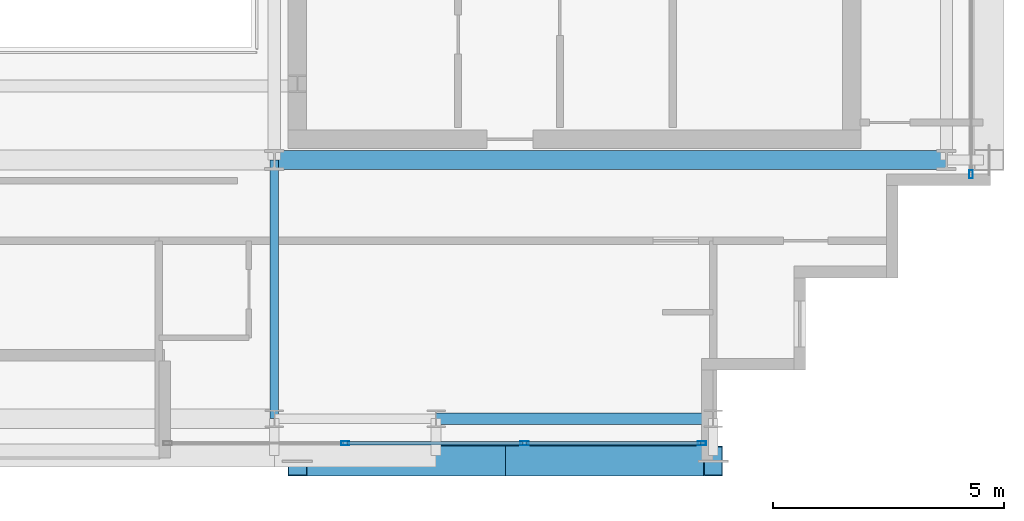
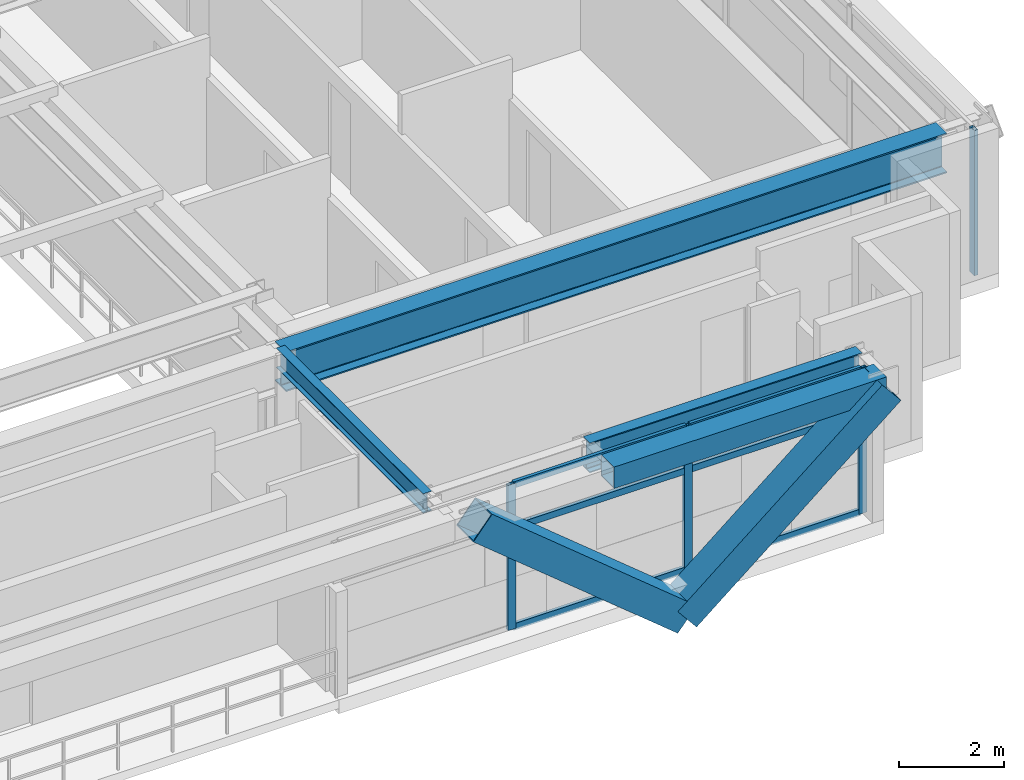
# One storey, part 10 of 29: 12 members, 4 beams, 2 elements without a shape of their own.
"""IFC4 building model written with IfcOpenShell, lengths in metres."""

from ifc_helpers import new_model, si_unit, direction, frame, origin, origin_2d, place, context, subcontext, project, spatial, hollow_rectangle, i_section, extrude, source, transform, mapped, material, layer, layer_set, material_profile, profile_set, type_object, element, aggregate, save


model = new_model("IFC4")

# Units and contexts
model_context = context("Model", 3, precision=1e-05, world=origin(), true_north=direction((0.0, 1.0)))
body_context = subcontext(model_context, "Body", "Model", "MODEL_VIEW")
ifc_project = project(units=[si_unit("LENGTHUNIT", "METRE"), si_unit("AREAUNIT", "SQUARE_METRE"), si_unit("VOLUMEUNIT", "CUBIC_METRE"), si_unit("PLANEANGLEUNIT", "RADIAN"), si_unit("MASSUNIT", "GRAM", prefix="KILO")], contexts=[model_context])

# Site, building, storey
site_placement = place(None, origin())
site = spatial("IfcSite", under=ifc_project, at=site_placement, CompositionType="ELEMENT")
building_placement = place(site_placement, origin())
building = spatial("IfcBuilding", under=site, at=building_placement, Name="Ocotamira Hotel", CompositionType="ELEMENT")
storey_placement = place(building_placement, frame((0.0, 0.0, 247.199951171875)))
storey = spatial("IfcBuildingStorey", under=building, at=storey_placement, Name="L62", CompositionType="ELEMENT", Elevation=247.199951171875)

# Beams
ifc_material_1 = material(Name="Steel ASTM A992 Grade 50", Category="steel")
ifc_material_profile_1 = material_profile(ifc_material_1, i_section(OverallWidth=0.41796875, OverallDepth=0.927001953125, WebThickness=0.019287109375, FlangeThickness=0.031982421875, FilletRadius=0.02392578125, at=origin_2d()), Name="W36X231")
ifc_profile_set_1 = profile_set([ifc_material_profile_1], Name="Steel ASTM A992 Grade 50")
beam_type_1 = type_object("IfcBeamType", Name="BM-GIRD-W36X231", PredefinedType="BEAM", material=ifc_profile_set_1)
shared_shape_1 = source(origin(), body_context, "Body", "SweptSolid", [
    extrude(i_section(OverallWidth=0.41796875, OverallDepth=0.927001953125, WebThickness=0.019287109375, FlangeThickness=0.031982421875, FilletRadius=0.02392578125, at=origin_2d()), origin(), (0.0, 0.0, 1.0), 14.550048828125),
])
beam_1_placement = place(storey_placement, frame((40.5, 14.550048828125, 2.91650390625), z_axis=(1.0, 0.0, 0.0), x_axis=(0.0, 1.0, 0.0)))
element("IfcBeam", 1, at=beam_1_placement, inside=storey, type_object=beam_type_1, Name="L62 Girder Y14.55 X40.5-55.05", PredefinedType="BEAM", context=body_context, shape_type="MappedRepresentation", body=[
    mapped(shared_shape_1, transform((0.0, 0.0, 0.0), scale=1.0)),
])
ifc_material_profile_2 = material_profile(ifc_material_1, i_section(OverallWidth=0.256103515625, OverallDepth=0.693115234375, WebThickness=0.014404296875, FlangeThickness=0.023681640625, FilletRadius=0.01611328125, at=origin_2d()), Name="W27X114")
ifc_profile_set_2 = profile_set([ifc_material_profile_2], Name="Steel ASTM A992 Grade 50")
beam_type_2 = type_object("IfcBeamType", Name="BM-PRIM-W27X114", PredefinedType="BEAM", material=ifc_profile_set_2)
shared_shape_2 = source(origin(), body_context, "Body", "SweptSolid", [
    extrude(i_section(OverallWidth=0.256103515625, OverallDepth=0.693115234375, WebThickness=0.014404296875, FlangeThickness=0.023681640625, FilletRadius=0.01611328125, at=origin_2d()), origin(), (0.0, 0.0, 1.0), 6.0),
])
beam_2_placement = place(storey_placement, frame((44.0, 8.949951171875, 3.033447265625), z_axis=(1.0, 0.0, 0.0), x_axis=(0.0, 1.0, 0.0)))
element("IfcBeam", 2, at=beam_2_placement, inside=storey, type_object=beam_type_2, Name="L62 Girder Y8.95 X44-50", PredefinedType="BEAM", context=body_context, shape_type="MappedRepresentation", body=[
    mapped(shared_shape_2, transform((0.0, 0.0, 0.0), scale=1.0)),
])
ifc_material_2 = material(Name="Steel ASTM A500 Grade C", Category="steel")
ifc_material_profile_3 = material_profile(ifc_material_2, hollow_rectangle(XDim=0.5, YDim=0.5, WallThickness=0.02001953125, at=origin_2d()), Name="HSS500X500X20")
ifc_profile_set_3 = profile_set([ifc_material_profile_3], Name="Steel ASTM A500 Grade C")
beam_type_3 = type_object("IfcBeamType", Name="BM-SPAN-HSS500", PredefinedType="USERDEFINED", material=ifc_profile_set_3)
shared_shape_3 = source(origin(), body_context, "Body", "SweptSolid", [
    extrude(hollow_rectangle(XDim=0.5, YDim=0.5, WallThickness=0.02001953125, at=origin_2d()), origin(), (0.0, 0.0, 1.0), 6.0),
])
beam_3_placement = place(storey_placement, frame((44.0, 8.14990234375, 3.130126953125), z_axis=(1.0, 0.0, 0.0), x_axis=(0.0, 1.0, 0.0)))
element("IfcBeam", 3, at=beam_3_placement, inside=storey, type_object=beam_type_3, Name="L62 Edge Spandrel S X44-50", ObjectType="SPANDREL", PredefinedType="USERDEFINED", context=body_context, shape_type="MappedRepresentation", body=[
    mapped(shared_shape_3, transform((0.0, 0.0, 0.0), scale=1.0)),
])
ifc_material_profile_4 = material_profile(ifc_material_1, i_section(OverallWidth=0.18994140625, OverallDepth=0.45703125, WebThickness=0.009033203125, FlangeThickness=0.014404296875, FilletRadius=0.010009765625, at=origin_2d()), Name="W18X50")
ifc_profile_set_4 = profile_set([ifc_material_profile_4], Name="Steel ASTM A992 Grade 50")
beam_type_4 = type_object("IfcBeamType", Name="BM-SEC-W18X50", PredefinedType="JOIST", material=ifc_profile_set_4)
shared_shape_4 = source(origin(), body_context, "Body", "SweptSolid", [
    extrude(i_section(OverallWidth=0.18994140625, OverallDepth=0.45703125, WebThickness=0.009033203125, FlangeThickness=0.014404296875, FilletRadius=0.010009765625, at=origin_2d()), origin(), (0.0, 0.0, 1.0), 5.60009765625),
])
beam_4_placement = place(storey_placement, frame((40.5, 8.949951171875, 3.151611328125), z_axis=(0.0, 1.0, 0.0), x_axis=(-1.0, 0.0, 0.0)))
element("IfcBeam", 4, at=beam_4_placement, inside=storey, type_object=beam_type_4, Name="L62 Beam X40.5 Y8.95-14.55", PredefinedType="JOIST", context=body_context, shape_type="MappedRepresentation", body=[
    mapped(shared_shape_4, transform((0.0, 0.0, 0.0), scale=1.0)),
])

# Members
ifc_material_3 = material(Name="Pale-metal coated steel ASTM A913 Grade 65", Category="steel")
ifc_material_profile_5 = material_profile(ifc_material_3, hollow_rectangle(XDim=0.64990234375, YDim=0.64990234375, WallThickness=0.02197265625, at=origin_2d()), Name="BOX650X650X22")
ifc_profile_set_5 = profile_set([ifc_material_profile_5], Name="Pale-metal coated steel ASTM A913 Grade 65")
member_type_1 = type_object("IfcMemberType", Name="MEM-EXO-BOX650", PredefinedType="BRACE", material=ifc_profile_set_5)
shared_shape_5 = source(origin(), body_context, "Body", "SweptSolid", [
    extrude(hollow_rectangle(XDim=0.64990234375, YDim=0.64990234375, WallThickness=0.02197265625, at=origin_2d()), origin(), (0.0, 0.0, 1.0), 5.825927734375),
])
for number, where, z_axis, x_axis, name in (
    (5, (45.5, 8.030029296875, -0.570068359375), (-0.772409039467, 0.0, 0.635125401593), (0.0, -1.0, 0.0), "L62 Exoskeleton Diagrid S3.1"),
    (6, (45.5, 8.030029296875, -0.570068359375), (0.772409039467, 0.0, 0.635125401593), (0.0, 1.0, 0.0), "L62 Exoskeleton Diagrid S3.2"),
):
    element("IfcMember", number, at=place(storey_placement, frame(where, z_axis=z_axis, x_axis=x_axis)), inside=storey, type_object=member_type_1, Name=name, PredefinedType="BRACE", context=body_context, shape_type="MappedRepresentation", body=[
        mapped(shared_shape_5, transform((0.0, 0.0, 0.0), scale=1.0)),
    ])

# Curtain wall, members
ifc_material_4 = material(Name="Anodised pale-metal aluminium and solar glass", Category="aluminium")
ifc_layer = layer(ifc_material_4, 0.239990234375)
ifc_layer_set = layer_set([ifc_layer], Name="Anodised pale-metal aluminium and solar glass")
curtain_wall_type = type_object("IfcCurtainWallType", Name="CW-SYS5-SKY", PredefinedType="NOTDEFINED", material=ifc_layer_set)
curtain_wall_1_placement = place(storey_placement, origin())
curtain_wall_1 = element("IfcCurtainWall", 7, at=curtain_wall_1_placement, inside=storey, type_object=curtain_wall_type, Name="L62 Curtain Wall CW-5 CW-L62-S2", PredefinedType="NOTDEFINED")
ifc_material_5 = material(Name="Anodised pale-metal aluminium 6063-T6", Category="aluminium")
ifc_material_profile_6 = material_profile(ifc_material_5, hollow_rectangle(XDim=0.074951171875, YDim=0.14990234375, WallThickness=0.006103515625, at=origin_2d()), Name="HSS150X75X6")
ifc_profile_set_6 = profile_set([ifc_material_profile_6], Name="Anodised pale-metal aluminium 6063-T6")
member_type_2 = type_object("IfcMemberType", Name="CWT-150X75", PredefinedType="USERDEFINED", material=ifc_profile_set_6)
shared_shape_6 = source(origin(), body_context, "Body", "SweptSolid", [
    extrude(hollow_rectangle(XDim=0.074951171875, YDim=0.14990234375, WallThickness=0.006103515625, at=origin_2d()), origin(), (0.0, 0.0, 1.0), 3.76318359375),
])
member_1_placement = place(storey_placement, frame((45.956787109375, 8.419921875, 0.03759765625), z_axis=(1.0, 0.0, 0.0), x_axis=(0.0, 1.0, 0.0)))
member_1 = element("IfcMember", 8, at=member_1_placement, type_object=member_type_2, Name="CW-5 transom 3.1", ObjectType="TRANSOM", PredefinedType="USERDEFINED", context=body_context, shape_type="MappedRepresentation", body=[
    mapped(shared_shape_6, transform((0.0, 0.0, 0.0), scale=1.0)),
])
member_2_placement = place(storey_placement, frame((45.956787109375, 8.419921875, 2.35009765625), z_axis=(1.0, 0.0, 0.0), x_axis=(0.0, 1.0, 0.0)))
member_2 = element("IfcMember", 9, at=member_2_placement, type_object=member_type_2, Name="CW-5 transom 3.2", ObjectType="TRANSOM", PredefinedType="USERDEFINED", context=body_context, shape_type="MappedRepresentation", body=[
    mapped(shared_shape_6, transform((0.0, 0.0, 0.0), scale=1.0)),
])
member_3_placement = place(storey_placement, frame((45.956787109375, 8.419921875, 3.342529296875), z_axis=(1.0, 0.0, 0.0), x_axis=(0.0, 1.0, 0.0)))
member_3 = element("IfcMember", 10, at=member_3_placement, type_object=member_type_2, Name="CW-5 transom 3.3", ObjectType="TRANSOM", PredefinedType="USERDEFINED", context=body_context, shape_type="MappedRepresentation", body=[
    mapped(shared_shape_6, transform((0.0, 0.0, 0.0), scale=1.0)),
])
shared_shape_7 = source(origin(), body_context, "Body", "SweptSolid", [
    extrude(hollow_rectangle(XDim=0.074951171875, YDim=0.14990234375, WallThickness=0.006103515625, at=origin_2d()), origin(), (0.0, 0.0, 1.0), 3.803466796875),
])
member_4_placement = place(storey_placement, frame((42.0732421875, 8.419921875, 0.03759765625), z_axis=(1.0, 0.0, 0.0), x_axis=(0.0, 1.0, 0.0)))
member_4 = element("IfcMember", 11, at=member_4_placement, type_object=member_type_2, Name="CW-5 transom 2.1", ObjectType="TRANSOM", PredefinedType="USERDEFINED", context=body_context, shape_type="MappedRepresentation", body=[
    mapped(shared_shape_7, transform((0.0, 0.0, 0.0), scale=1.0)),
])
member_5_placement = place(storey_placement, frame((42.0732421875, 8.419921875, 2.35009765625), z_axis=(1.0, 0.0, 0.0), x_axis=(0.0, 1.0, 0.0)))
member_5 = element("IfcMember", 12, at=member_5_placement, type_object=member_type_2, Name="CW-5 transom 2.2", ObjectType="TRANSOM", PredefinedType="USERDEFINED", context=body_context, shape_type="MappedRepresentation", body=[
    mapped(shared_shape_7, transform((0.0, 0.0, 0.0), scale=1.0)),
])
member_6_placement = place(storey_placement, frame((42.0732421875, 8.419921875, 3.342529296875), z_axis=(1.0, 0.0, 0.0), x_axis=(0.0, 1.0, 0.0)))
member_6 = element("IfcMember", 13, at=member_6_placement, type_object=member_type_2, Name="CW-5 transom 2.3", ObjectType="TRANSOM", PredefinedType="USERDEFINED", context=body_context, shape_type="MappedRepresentation", body=[
    mapped(shared_shape_7, transform((0.0, 0.0, 0.0), scale=1.0)),
])
ifc_material_profile_7 = material_profile(ifc_material_5, hollow_rectangle(XDim=0.080078125, YDim=0.179931640625, WallThickness=0.006103515625, at=origin_2d()), Name="HSS180X80X6")
ifc_profile_set_7 = profile_set([ifc_material_profile_7], Name="Anodised pale-metal aluminium 6063-T6")
member_type_3 = type_object("IfcMemberType", Name="CWM-180X75", PredefinedType="MULLION", material=ifc_profile_set_7)
shared_shape_8 = source(origin(), body_context, "Body", "SweptSolid", [
    extrude(hollow_rectangle(XDim=0.080078125, YDim=0.179931640625, WallThickness=0.006103515625, at=origin_2d()), origin(), (0.0, 0.0, 1.0), 3.380126953125),
])
member_7_placement = place(storey_placement, frame((42.033447265625, 8.419921875, 0.0), z_axis=(0.0, 0.0, 1.0), x_axis=(0.0, 1.0, 0.0)))
member_7 = element("IfcMember", 14, at=member_7_placement, type_object=member_type_3, Name="CW-5 mullion 2", PredefinedType="MULLION", context=body_context, shape_type="MappedRepresentation", body=[
    mapped(shared_shape_8, transform((0.0, 0.0, 0.0), scale=1.0)),
])
member_8_placement = place(storey_placement, frame((45.916748046875, 8.419921875, 0.0), z_axis=(0.0, 0.0, 1.0), x_axis=(0.0, 1.0, 0.0)))
member_8 = element("IfcMember", 15, at=member_8_placement, type_object=member_type_3, Name="CW-5 mullion 3", PredefinedType="MULLION", context=body_context, shape_type="MappedRepresentation", body=[
    mapped(shared_shape_8, transform((0.0, 0.0, 0.0), scale=1.0)),
])
member_9_placement = place(storey_placement, frame((49.760009765625, 8.419921875, 0.0), z_axis=(0.0, 0.0, 1.0), x_axis=(0.0, 1.0, 0.0)))
member_9 = element("IfcMember", 16, at=member_9_placement, type_object=member_type_3, Name="CW-5 mullion 4", PredefinedType="MULLION", context=body_context, shape_type="MappedRepresentation", body=[
    mapped(shared_shape_8, transform((0.0, 0.0, 0.0), scale=1.0)),
])
aggregate(curtain_wall_1, [member_7, member_8, member_9, member_4, member_5, member_6, member_1, member_2, member_3])

# Curtain wall, member
curtain_wall_2_placement = place(storey_placement, origin())
curtain_wall_2 = element("IfcCurtainWall", 17, at=curtain_wall_2_placement, inside=storey, type_object=curtain_wall_type, Name="L62 Curtain Wall CW-5 CW-L62-E", PredefinedType="NOTDEFINED")
member_10_placement = place(storey_placement, frame((55.580078125, 14.239990234375, 0.0), z_axis=(0.0, 0.0, 1.0), x_axis=(-1.0, 0.0, 0.0)))
member_10 = element("IfcMember", 18, at=member_10_placement, type_object=member_type_3, Name="CW-5 mullion 1", PredefinedType="MULLION", context=body_context, shape_type="MappedRepresentation", body=[
    mapped(shared_shape_8, transform((0.0, 0.0, 0.0), scale=1.0)),
])
aggregate(curtain_wall_2, [member_10])

save(model, "model.ifc")
